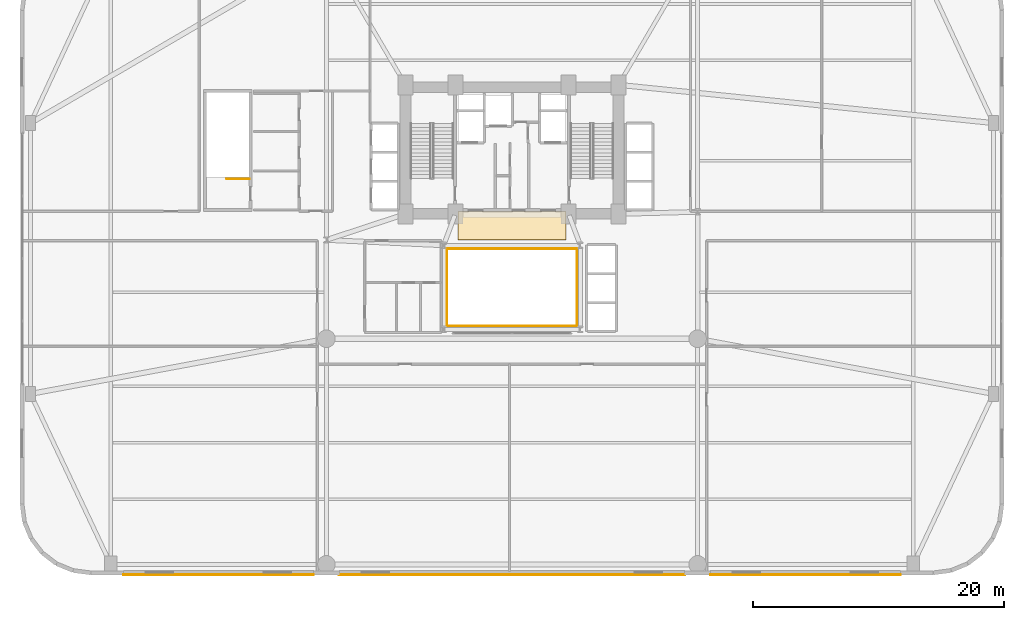
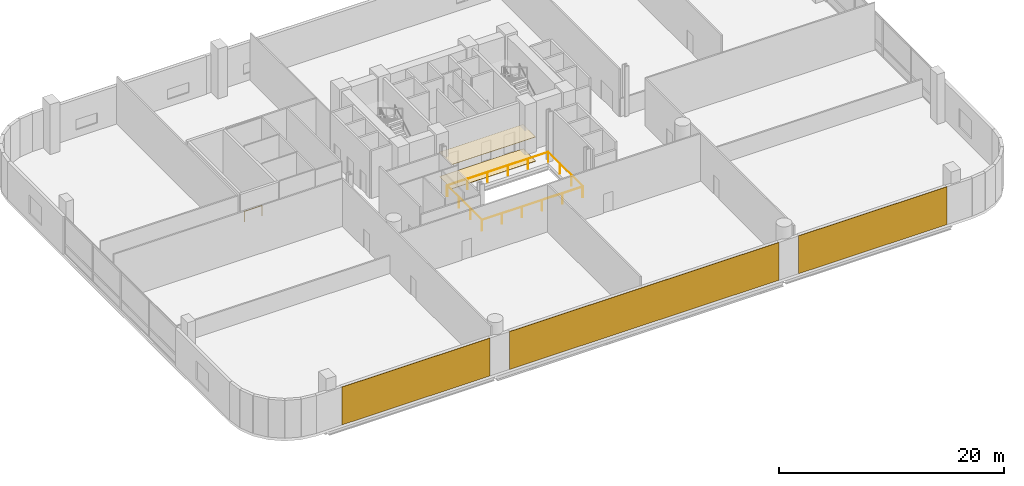
# One storey, part 27 of 31: 5 coverings, 3 railings.
"""IFC4 building model written with IfcOpenShell, lengths in metres."""

from ifc_helpers import new_model, si_unit, direction, frame, origin, origin_2d, place, context, subcontext, project, spatial, rectangle, circle, extrude, source, transform, mapped, material, layer, layer_set, type_object, element, save


model = new_model("IFC4")

# Units and contexts
model_context = context("Model", 3, precision=1e-05, world=origin(), true_north=direction((0.0, 1.0)))
body_context = subcontext(model_context, "Body", "Model", "MODEL_VIEW")
ifc_project = project(units=[si_unit("LENGTHUNIT", "METRE"), si_unit("AREAUNIT", "SQUARE_METRE"), si_unit("VOLUMEUNIT", "CUBIC_METRE"), si_unit("PLANEANGLEUNIT", "RADIAN"), si_unit("MASSUNIT", "GRAM", prefix="KILO")], contexts=[model_context])

# Site, building, storey
site_placement = place(None, origin())
site = spatial("IfcSite", under=ifc_project, at=site_placement, CompositionType="ELEMENT")
building_placement = place(site_placement, origin())
building = spatial("IfcBuilding", under=site, at=building_placement, Name="Varnelok Gate Tower", CompositionType="ELEMENT")
storey_placement = place(building_placement, frame((0.0, 0.0, 21.60009765625)))
storey = spatial("IfcBuildingStorey", under=building, at=storey_placement, Name="L04", CompositionType="ELEMENT", Elevation=21.60009765625)

# Railings
ifc_material_1 = material(Name="Tempered Laminated Balustrade Glass", Category="glass")
railing_type_1 = type_object("IfcRailingType", Name="RL-ATR-GUARD1150", PredefinedType="GUARDRAIL", material=ifc_material_1)
railing_1_placement = place(storey_placement, frame((34.02001953125, 25.929931640625, 0.0)))
element("IfcRailing", 1, at=railing_1_placement, inside=storey, type_object=railing_type_1, Name="L04 Internal Atrium South-West Guardrail", PredefinedType="GUARDRAIL", context=body_context, shape_type="SweptSolid", body=[
    extrude(circle(Radius=0.02392578125, at=origin_2d()), frame((0.0, 0.0, 1.1259765625), z_axis=(0.0, -1.0, 0.0), x_axis=(1.0, 0.0, 0.0)), (0.0, 0.0, 1.0), 6.10986328125),
    extrude(circle(Radius=0.02392578125, at=origin_2d()), frame((0.0, -6.10986328125, 1.1259765625), z_axis=(1.0, 0.0, 0.0), x_axis=(0.0, 1.0, 0.0)), (0.0, 0.0, 1.0), 10.31005859375),
    extrude(circle(Radius=0.02099609375, at=origin_2d()), origin(), (0.0, 0.0, 1.0), 1.101806640625),
    extrude(circle(Radius=0.02099609375, at=origin_2d()), frame((0.0, -2.03662109375, 0.0)), (0.0, 0.0, 1.0), 1.101806640625),
    extrude(circle(Radius=0.02099609375, at=origin_2d()), frame((0.0, -4.0732421875, 0.0)), (0.0, 0.0, 1.0), 1.101806640625),
    extrude(circle(Radius=0.02099609375, at=origin_2d()), frame((0.0, -6.10986328125, 0.0)), (0.0, 0.0, 1.0), 1.101806640625),
    extrude(circle(Radius=0.02099609375, at=origin_2d()), frame((2.06201171875, -6.10986328125, 0.0)), (0.0, 0.0, 1.0), 1.101806640625),
    extrude(circle(Radius=0.02099609375, at=origin_2d()), frame((4.1240234375, -6.10986328125, 0.0)), (0.0, 0.0, 1.0), 1.101806640625),
    extrude(circle(Radius=0.02099609375, at=origin_2d()), frame((6.18603515625, -6.10986328125, 0.0)), (0.0, 0.0, 1.0), 1.101806640625),
    extrude(circle(Radius=0.02099609375, at=origin_2d()), frame((8.248046875, -6.10986328125, 0.0)), (0.0, 0.0, 1.0), 1.101806640625),
    extrude(circle(Radius=0.02099609375, at=origin_2d()), frame((10.31005859375, -6.10986328125, 0.0)), (0.0, 0.0, 1.0), 1.101806640625),
])
railing_2_placement = place(storey_placement, frame((44.3798828125, 19.820068359375, 0.0)))
element("IfcRailing", 2, at=railing_2_placement, inside=storey, type_object=railing_type_1, Name="L04 Internal Atrium North-East Guardrail", PredefinedType="GUARDRAIL", context=body_context, shape_type="SweptSolid", body=[
    extrude(circle(Radius=0.02392578125, at=origin_2d()), frame((0.0, 0.0, 1.1259765625), z_axis=(0.0, 1.0, 0.0), x_axis=(-1.0, 0.0, 0.0)), (0.0, 0.0, 1.0), 6.159912109375),
    extrude(circle(Radius=0.02392578125, at=origin_2d()), frame((0.0, 6.159912109375, 1.1259765625), z_axis=(-1.0, 0.0, 0.0), x_axis=(0.0, -1.0, 0.0)), (0.0, 0.0, 1.0), 10.35986328125),
    extrude(circle(Radius=0.02099609375, at=origin_2d()), origin(), (0.0, 0.0, 1.0), 1.101806640625),
    extrude(circle(Radius=0.02099609375, at=origin_2d()), frame((0.0, 2.05322265625, 0.0)), (0.0, 0.0, 1.0), 1.101806640625),
    extrude(circle(Radius=0.02099609375, at=origin_2d()), frame((0.0, 4.106689453125, 0.0)), (0.0, 0.0, 1.0), 1.101806640625),
    extrude(circle(Radius=0.02099609375, at=origin_2d()), frame((0.0, 6.159912109375, 0.0)), (0.0, 0.0, 1.0), 1.101806640625),
    extrude(circle(Radius=0.02099609375, at=origin_2d()), frame((-2.072021484375, 6.159912109375, 0.0)), (0.0, 0.0, 1.0), 1.101806640625),
    extrude(circle(Radius=0.02099609375, at=origin_2d()), frame((-4.14404296875, 6.159912109375, 0.0)), (0.0, 0.0, 1.0), 1.101806640625),
    extrude(circle(Radius=0.02099609375, at=origin_2d()), frame((-6.2158203125, 6.159912109375, 0.0)), (0.0, 0.0, 1.0), 1.101806640625),
    extrude(circle(Radius=0.02099609375, at=origin_2d()), frame((-8.287841796875, 6.159912109375, 0.0)), (0.0, 0.0, 1.0), 1.101806640625),
    extrude(circle(Radius=0.02099609375, at=origin_2d()), frame((-10.35986328125, 6.159912109375, 0.0)), (0.0, 0.0, 1.0), 1.101806640625),
])
ifc_material_2 = material(Name="Galvanized Steel Grade S350GD", Category="steel")
railing_type_2 = type_object("IfcRailingType", Name="RL-STAIR-GUARD1120", PredefinedType="GUARDRAIL", material=ifc_material_2)
railing_3_placement = place(storey_placement, frame((18.25, 31.550048828125, 0.0)))
element("IfcRailing", 3, at=railing_3_placement, inside=storey, type_object=railing_type_2, Name="L04 ST-3 top well guard 1", PredefinedType="GUARDRAIL", context=body_context, shape_type="SweptSolid", body=[
    extrude(circle(Radius=0.02392578125, at=origin_2d()), frame((0.0, 0.0, 1.09619140625), z_axis=(-1.0, 0.0, 0.0), x_axis=(0.0, -1.0, 0.0)), (0.0, 0.0, 1.0), 1.800048828125),
    extrude(circle(Radius=0.02099609375, at=origin_2d()), origin(), (0.0, 0.0, 1.0), 1.072021484375),
    extrude(circle(Radius=0.02099609375, at=origin_2d()), frame((-1.800048828125, 0.0, 0.0)), (0.0, 0.0, 1.0), 1.072021484375),
])

# Coverings
ifc_material_3 = material(Name="Glazed Architectural Terracotta Ceramic", Category="masonry")
ifc_layer_1 = layer(ifc_material_3, 0.044921875)
ifc_layer_set_1 = layer_set([ifc_layer_1], Name="Glazed Architectural Terracotta Ceramic")
covering_type_1 = type_object("IfcCoveringType", Name="COV-TERRA-CLAD", PredefinedType="CLADDING", material=ifc_layer_set_1)
shared_shape_1 = source(origin(), body_context, "Body", "SweptSolid", [
    extrude(rectangle(XDim=15.199951171875, YDim=0.044921875, at=origin_2d()), origin(), (0.0, 0.0, 1.0), 4.10009765625),
])
for number, where, z_axis, x_axis, name in (
    (4, (15.800048828125, -0.02197265625, -0.000244140625), (0.0, 0.0, 1.0), (1.0, 0.0, 0.0), "L04 Terracotta Arch Rainscreen Cladding S1"),
    (5, (62.60009765625, -0.02197265625, -0.000244140625), (0.0, 0.0, 1.0), (1.0, 0.0, 0.0), "L04 Terracotta Arch Rainscreen Cladding S3"),
):
    element("IfcCovering", number, at=place(storey_placement, frame(where, z_axis=z_axis, x_axis=x_axis)), inside=storey, type_object=covering_type_1, Name=name, PredefinedType="CLADDING", context=body_context, shape_type="MappedRepresentation", body=[
        mapped(shared_shape_1, transform((0.0, 0.0, 0.0), scale=1.0)),
    ])
shared_shape_2 = source(origin(), body_context, "Body", "SweptSolid", [
    extrude(rectangle(XDim=27.60009765625, YDim=0.044921875, at=origin_2d()), origin(), (0.0, 0.0, 1.0), 4.10009765625),
])
covering_1_placement = place(storey_placement, frame((39.199951171875, -0.02197265625, -0.000244140625), z_axis=(0.0, 0.0, 1.0), x_axis=(1.0, 0.0, 0.0)))
element("IfcCovering", 6, at=covering_1_placement, inside=storey, type_object=covering_type_1, Name="L04 Terracotta Arch Rainscreen Cladding S2", PredefinedType="CLADDING", context=body_context, shape_type="MappedRepresentation", body=[
    mapped(shared_shape_2, transform((0.0, 0.0, 0.0), scale=1.0)),
])
ifc_material_4 = material(Name="Honed Travertine Stone Flooring", Category="masonry")
ifc_layer_2 = layer(ifc_material_4, 0.02490234375)
ifc_layer_set_2 = layer_set([ifc_layer_2], Name="Honed Travertine Stone Flooring")
covering_type_2 = type_object("IfcCoveringType", Name="COV-FLOR-STONE", PredefinedType="FLOORING", material=ifc_layer_set_2)
shared_shape_3 = source(origin(), body_context, "Body", "SweptSolid", [
    extrude(rectangle(XDim=8.60009765625, YDim=2.219970703125, at=origin_2d()), origin(), (0.0, 0.0, 1.0), 0.02490234375),
])
covering_2_placement = place(storey_placement, frame((39.199951171875, 27.800048828125, 0.0), z_axis=(0.0, 0.0, 1.0), x_axis=(1.0, 0.0, 0.0)))
element("IfcCovering", 7, at=covering_2_placement, inside=storey, type_object=covering_type_2, Name="L04 Core Gallery Stone Flooring", PredefinedType="FLOORING", context=body_context, shape_type="MappedRepresentation", body=[
    mapped(shared_shape_3, transform((0.0, 0.0, 0.0), scale=1.0)),
])
ifc_material_5 = material(Name="Mineral Fiber Acoustic Ceiling Tile")
ifc_layer_3 = layer(ifc_material_5, 0.0400390625)
ifc_layer_set_3 = layer_set([ifc_layer_3], Name="Mineral Fiber Acoustic Ceiling Tile")
covering_type_3 = type_object("IfcCoveringType", Name="COV-CEIL-ACOUST", PredefinedType="CEILING", material=ifc_layer_set_3)
shared_shape_4 = source(origin(), body_context, "Body", "SweptSolid", [
    extrude(rectangle(XDim=8.60009765625, YDim=2.239990234375, at=origin_2d()), origin(), (0.0, 0.0, 1.0), 0.0400390625),
])
covering_3_placement = place(storey_placement, frame((39.199951171875, 27.820068359375, 2.599853515625), z_axis=(0.0, 0.0, 1.0), x_axis=(1.0, 0.0, 0.0)))
element("IfcCovering", 8, at=covering_3_placement, inside=storey, type_object=covering_type_3, Name="L04 Core Gallery Acoustic Ceiling", PredefinedType="CEILING", context=body_context, shape_type="MappedRepresentation", body=[
    mapped(shared_shape_4, transform((0.0, 0.0, 0.0), scale=1.0)),
])

save(model, "model.ifc")
